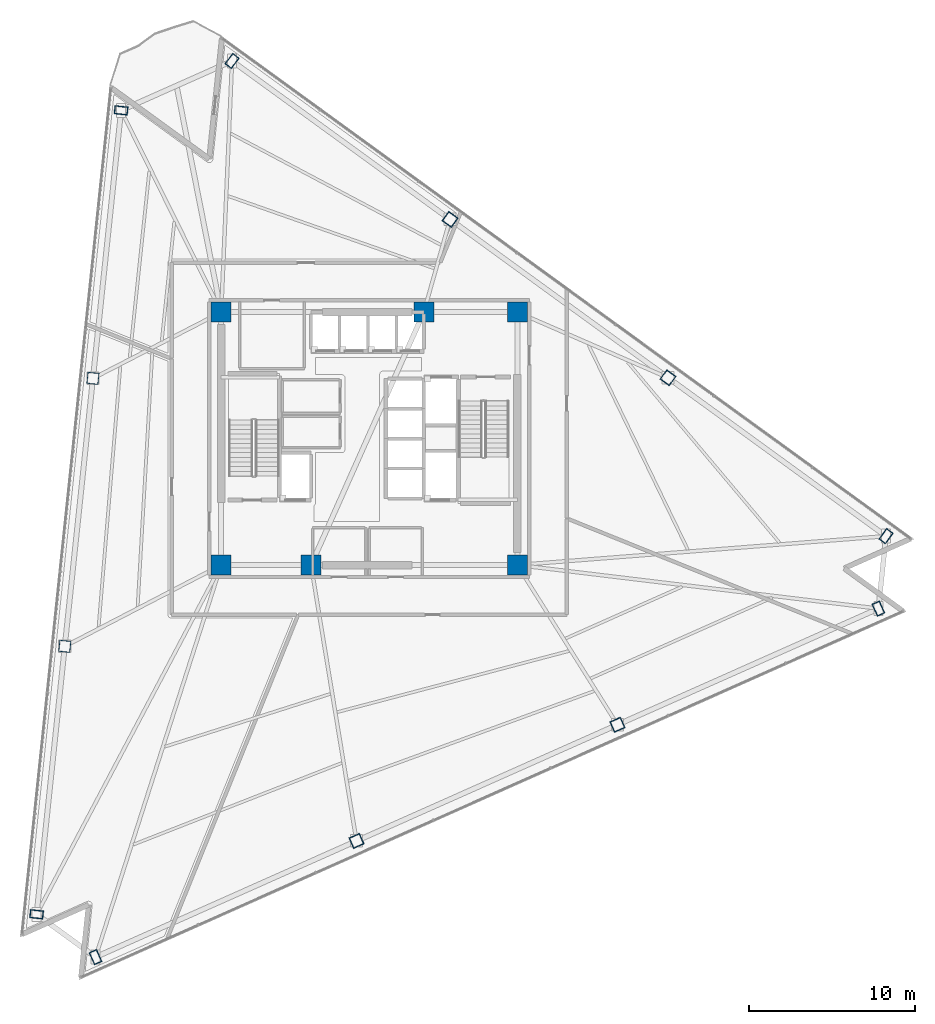
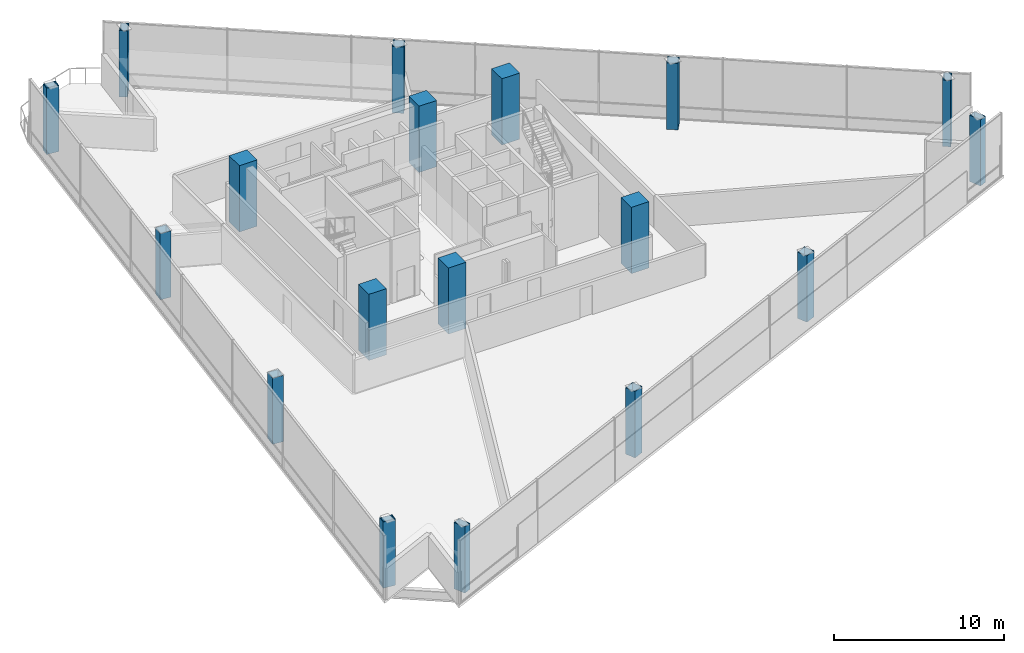
# One storey, part 1 of 18: 18 columns.
"""IFC4 building model written with IfcOpenShell, lengths in metres."""

from ifc_helpers import new_model, si_unit, direction, frame, origin, origin_2d, place, context, subcontext, project, spatial, rectangle, hollow_rectangle, extrude, material, material_profile, profile_set, type_object, element, save


model = new_model("IFC4")

# Units and contexts
model_context = context("Model", 3, precision=1e-05, world=origin(), true_north=direction((0.0, 1.0)))
body_context = subcontext(model_context, "Body", "Model", "MODEL_VIEW")
ifc_project = project(units=[si_unit("LENGTHUNIT", "METRE"), si_unit("AREAUNIT", "SQUARE_METRE"), si_unit("VOLUMEUNIT", "CUBIC_METRE"), si_unit("PLANEANGLEUNIT", "RADIAN"), si_unit("MASSUNIT", "GRAM", prefix="KILO")], contexts=[model_context])

# Site, building, storey
site_placement = place(None, origin())
site = spatial("IfcSite", under=ifc_project, at=site_placement, CompositionType="ELEMENT")
building_placement = place(site_placement, origin())
building = spatial("IfcBuilding", under=site, at=building_placement, Name="Tharavind Bronze Gate", CompositionType="ELEMENT")
storey_placement = place(building_placement, frame((0.0, 0.0, 134.050048828125)))
storey = spatial("IfcBuildingStorey", under=building, at=storey_placement, Name="L34", CompositionType="ELEMENT", Elevation=134.050048828125)

# Columns
ifc_material_1 = material(Name="Steel S460", Category="steel")
ifc_material_profile_1 = material_profile(ifc_material_1, hollow_rectangle(XDim=0.5, YDim=0.800048828125, WallThickness=0.0400390625, at=origin_2d()), Name="RHS800X500X40")
ifc_profile_set_1 = profile_set([ifc_material_profile_1], Name="Steel S460")
column_type_1 = type_object("IfcColumnType", Name="CORNER NOTCH COLUMN RHS800X500", PredefinedType="COLUMN", material=ifc_profile_set_1)
for number, where, z_axis, x_axis, name in (
    (1, (-14.91748046875, 19.7314453125, 0.0), (0.0, 0.0, 1.0), (0.104530199036, 0.99452171293, 0.0), "L34 perimeter column S1C1"),
    (2, (-19.9970703125, -28.597900390625, 0.0), (0.0, 0.0, 1.0), (0.104530199036, 0.99452171293, 0.0), "L34 perimeter column S1C4"),
    (3, (-16.45361328125, -31.17236328125, 0.0), (0.0, 0.0, 1.0), (0.913545457643, 0.406736643076, 0.0), "L34 perimeter column S2C1"),
    (4, (30.60791015625, -10.218994140625, 0.0), (0.0, 0.0, 1.0), (0.913545457643, 0.406736643076, 0.0), "L34 perimeter column S2C4"),
    (5, (31.06591796875, -5.863037109375, 0.0), (0.0, 0.0, 1.0), (-0.809016994375, 0.587785252292, 0.0), "L34 perimeter column S3C1"),
    (6, (-8.24853515625, 22.70068359375, 0.0), (0.0, 0.0, 1.0), (-0.809016994375, 0.587785252292, 0.0), "L34 perimeter column S3C4"),
):
    element("IfcColumn", number, at=place(storey_placement, frame(where, z_axis=z_axis, x_axis=x_axis)), inside=storey, type_object=column_type_1, Name=name, PredefinedType="COLUMN", context=body_context, shape_type="SweptSolid", body=[
        extrude(hollow_rectangle(XDim=0.5, YDim=0.800048828125, WallThickness=0.0400390625, at=origin_2d()), origin(), (0.0, 0.0, 1.0), 4.75),
    ])
ifc_material_2 = material(Name="Concrete C60/75", Category="concrete")
ifc_material_profile_2 = material_profile(ifc_material_2, rectangle(XDim=1.199951171875, YDim=1.199951171875, at=origin_2d()), Name="RCCOL1200")
ifc_profile_set_2 = profile_set([ifc_material_profile_2], Name="Concrete C60/75")
column_type_2 = type_object("IfcColumnType", Name="MEGA CORE COLUMN 1200", PredefinedType="COLUMN", material=ifc_profile_set_2)
for number, where, z_axis, x_axis, name in (
    (7, (-8.89990234375, -7.60009765625, 0.0), (0.0, 0.0, 1.0), (1.0, 0.0, 0.0), "L34 core mega column MC1"),
    (8, (-3.5, -7.60009765625, 0.0), (0.0, 0.0, 1.0), (1.0, 0.0, 0.0), "L34 core mega column MC2"),
    (9, (8.89990234375, -7.60009765625, 0.0), (0.0, 0.0, 1.0), (1.0, 0.0, 0.0), "L34 core mega column MC3"),
    (10, (8.89990234375, 7.60009765625, 0.0), (0.0, 0.0, 1.0), (1.0, 0.0, 0.0), "L34 core mega column MC4"),
    (11, (3.280029296875, 7.60009765625, 0.0), (0.0, 0.0, 1.0), (1.0, 0.0, 0.0), "L34 core mega column MC5"),
    (12, (-8.89990234375, 7.60009765625, 0.0), (0.0, 0.0, 1.0), (1.0, 0.0, 0.0), "L34 core mega column MC6"),
):
    element("IfcColumn", number, at=place(storey_placement, frame(where, z_axis=z_axis, x_axis=x_axis)), inside=storey, type_object=column_type_2, Name=name, PredefinedType="COLUMN", context=body_context, shape_type="SweptSolid", body=[
        extrude(rectangle(XDim=1.199951171875, YDim=1.199951171875, at=origin_2d()), origin(), (0.0, 0.0, 1.0), 4.75),
    ])
ifc_material_profile_3 = material_profile(ifc_material_1, hollow_rectangle(XDim=0.699951171875, YDim=0.699951171875, WallThickness=0.0400390625, at=origin_2d()), Name="SHS700X40")
ifc_profile_set_3 = profile_set([ifc_material_profile_3], Name="Steel S460")
column_type_3 = type_object("IfcColumnType", Name="PERIMETER BOX COLUMN SHS700", PredefinedType="COLUMN", material=ifc_profile_set_3)
for number, where, z_axis, x_axis, name in (
    (13, (-16.610595703125, 3.62158203125, 0.0), (0.0, 0.0, 1.0), (0.104530199036, 0.99452171293, 0.0), "L34 perimeter column S1C2"),
    (14, (-18.303955078125, -12.488037109375, 0.0), (0.0, 0.0, 1.0), (0.104530199036, 0.99452171293, 0.0), "L34 perimeter column S1C3"),
    (15, (-0.766357421875, -24.18798828125, 0.0), (0.0, 0.0, 1.0), (0.913545457643, 0.406736643076, 0.0), "L34 perimeter column S2C2"),
    (16, (14.9208984375, -17.20361328125, 0.0), (0.0, 0.0, 1.0), (0.913545457643, 0.406736643076, 0.0), "L34 perimeter column S2C3"),
    (17, (17.961181640625, 3.658203125, 0.0), (0.0, 0.0, 1.0), (-0.809016994375, 0.587785252292, 0.0), "L34 perimeter column S3C2"),
    (18, (4.856201171875, 13.179443359375, 0.0), (0.0, 0.0, 1.0), (-0.809016994375, 0.587785252292, 0.0), "L34 perimeter column S3C3"),
):
    element("IfcColumn", number, at=place(storey_placement, frame(where, z_axis=z_axis, x_axis=x_axis)), inside=storey, type_object=column_type_3, Name=name, PredefinedType="COLUMN", context=body_context, shape_type="SweptSolid", body=[
        extrude(hollow_rectangle(XDim=0.699951171875, YDim=0.699951171875, WallThickness=0.0400390625, at=origin_2d()), origin(), (0.0, 0.0, 1.0), 4.75),
    ])

save(model, "model.ifc")
